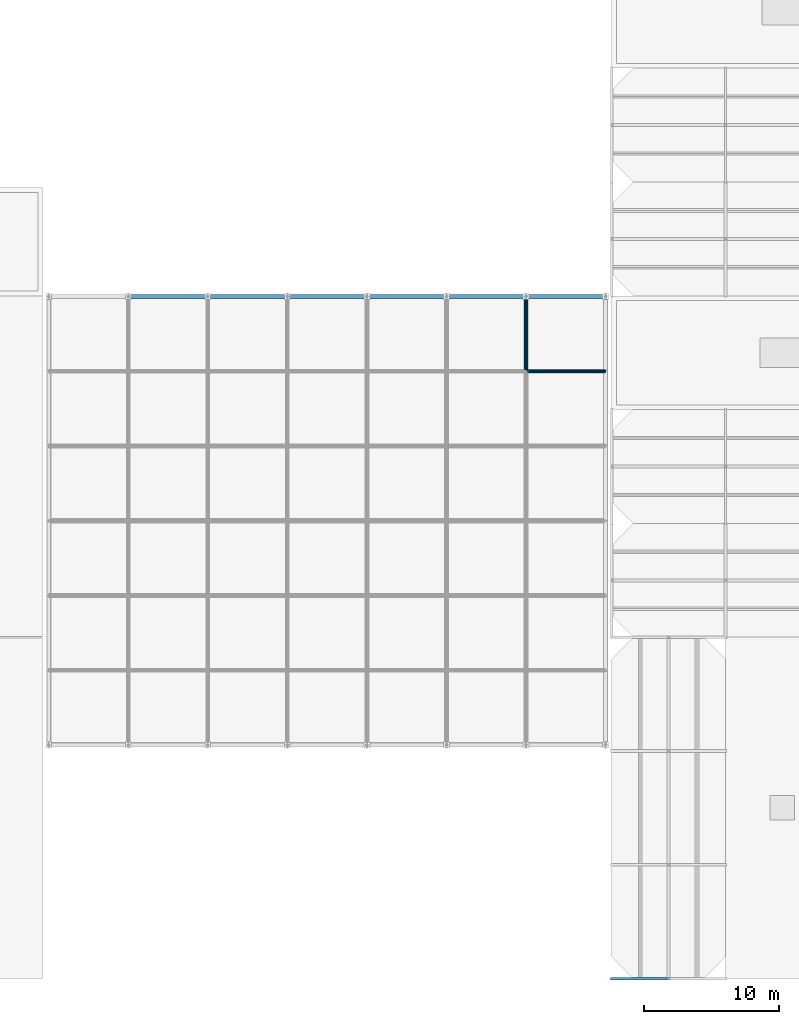
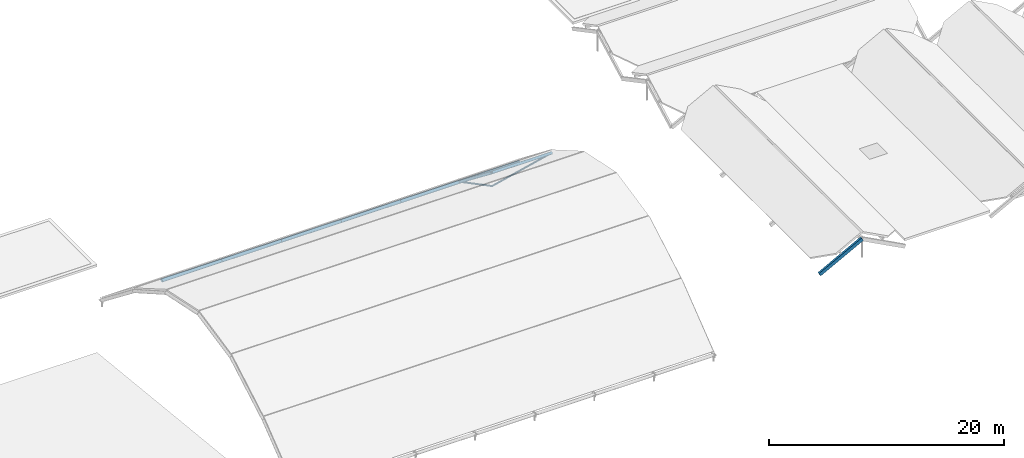
# One storey, part 14 of 82: 11 members.
"""IFC4 building model written with IfcOpenShell, lengths in metres."""

from ifc_helpers import new_model, si_unit, direction, frame, origin, origin_2d, place, context, subcontext, project, spatial, rectangle, hollow_circle, extrude, material, material_profile, profile_set, type_object, element, save


model = new_model("IFC4")

# Units and contexts
model_context = context("Model", 3, precision=1e-05, world=origin(), true_north=direction((0.0, 1.0)))
body_context = subcontext(model_context, "Body", "Model", "MODEL_VIEW")
ifc_project = project(units=[si_unit("LENGTHUNIT", "METRE"), si_unit("AREAUNIT", "SQUARE_METRE"), si_unit("VOLUMEUNIT", "CUBIC_METRE"), si_unit("PLANEANGLEUNIT", "RADIAN"), si_unit("MASSUNIT", "GRAM", prefix="KILO")], contexts=[model_context])

# Site, building, storey
site_placement = place(None, origin())
site = spatial("IfcSite", under=ifc_project, at=site_placement, CompositionType="ELEMENT")
building_placement = place(site_placement, origin())
building = spatial("IfcBuilding", under=site, at=building_placement, Name="Bramfleet General Hospital", CompositionType="ELEMENT")
storey_placement = place(building_placement, frame((0.0, 0.0, 34.199951171875)))
storey = spatial("IfcBuildingStorey", under=building, at=storey_placement, Name="Roof", CompositionType="ELEMENT", Elevation=34.199951171875)

# Members
ifc_material_1 = material(Name="Structural timber GL28h", Category="wood")
ifc_material_profile_1 = material_profile(ifc_material_1, rectangle(XDim=0.199951171875, YDim=0.360107421875, at=origin_2d()), Name="GL28h 360x200")
ifc_profile_set_1 = profile_set([ifc_material_profile_1], Name="Structural timber GL28h")
member_type_1 = type_object("IfcMemberType", Name="MEM-RF-GL360", PredefinedType="RAFTER", material=ifc_profile_set_1)
member_1_placement = place(storey_placement, frame((92.39990234375, 0.0, -0.75634765625), z_axis=(0.882958848035, 0.0, 0.469450394267), x_axis=(0.0, 1.0, 0.0)))
element("IfcMember", 1, at=member_1_placement, inside=storey, type_object=member_type_1, Name="Patient House PH-05 West Glulam Rafter 0", PredefinedType="RAFTER", context=body_context, shape_type="SweptSolid", body=[
    extrude(rectangle(XDim=0.199951171875, YDim=0.360107421875, at=origin_2d()), origin(), (0.0, 0.0, 1.0), 4.7568359375),
])
ifc_material_2 = material(Name="Steel S355", Category="steel")
ifc_material_profile_2 = material_profile(ifc_material_2, hollow_circle(Radius=0.084228515625, WallThickness=0.008056640625, at=origin_2d()), Name="CHS 168.3x8.0")
ifc_profile_set_2 = profile_set([ifc_material_profile_2], Name="Steel S355")
member_type_2 = type_object("IfcMemberType", Name="MEM-SF-DG1", PredefinedType="STRUT", material=ifc_profile_set_2)
member_2_placement = place(storey_placement, frame((86.07861328125, 44.833251953125, -16.550048828125), z_axis=(0.97272369554, 0.0, 0.231966834127), x_axis=(0.0, 1.0, 0.0)))
element("IfcMember", 2, at=member_2_placement, inside=storey, type_object=member_type_2, Name="Space Frame Web Strut 6-5-E", PredefinedType="STRUT", context=body_context, shape_type="SweptSolid", body=[
    extrude(hollow_circle(Radius=0.084228515625, WallThickness=0.008056640625, at=origin_2d()), origin(), (0.0, 0.0, 1.0), 6.035888671875),
])
member_3_placement = place(storey_placement, frame((86.07861328125, 44.833251953125, -16.550048828125), z_axis=(0.0, 0.885162817116, -0.465281406457), x_axis=(-1.0, 0.0, 0.0)))
element("IfcMember", 3, at=member_3_placement, inside=storey, type_object=member_type_2, Name="Space Frame Web Strut 6-5-N", PredefinedType="STRUT", context=body_context, shape_type="SweptSolid", body=[
    extrude(hollow_circle(Radius=0.084228515625, WallThickness=0.008056640625, at=origin_2d()), origin(), (0.0, 0.0, 1.0), 6.232666015625),
])
ifc_material_profile_3 = material_profile(ifc_material_2, hollow_circle(Radius=0.161865234375, WallThickness=0.012451171875, at=origin_2d()), Name="CHS 323.9x12.5")
ifc_profile_set_3 = profile_set([ifc_material_profile_3], Name="Steel S355")
member_type_3 = type_object("IfcMemberType", Name="MEM-SF-TC1", PredefinedType="CHORD", material=ifc_profile_set_3)
member_4_placement = place(storey_placement, frame((56.721435546875, 50.35009765625, -19.449951171875), z_axis=(1.0, 0.0, 0.0), x_axis=(0.0, 1.0, 0.0)))
element("IfcMember", 4, at=member_4_placement, inside=storey, type_object=member_type_3, Name="Space Frame Top Chord X 1-6", PredefinedType="CHORD", context=body_context, shape_type="SweptSolid", body=[
    extrude(hollow_circle(Radius=0.161865234375, WallThickness=0.012451171875, at=origin_2d()), origin(), (0.0, 0.0, 1.0), 5.871337890625),
])
member_5_placement = place(storey_placement, frame((62.5927734375, 50.35009765625, -19.449951171875), z_axis=(1.0, 0.0, 0.0), x_axis=(0.0, 1.0, 0.0)))
element("IfcMember", 5, at=member_5_placement, inside=storey, type_object=member_type_3, Name="Space Frame Top Chord X 2-6", PredefinedType="CHORD", context=body_context, shape_type="SweptSolid", body=[
    extrude(hollow_circle(Radius=0.161865234375, WallThickness=0.012451171875, at=origin_2d()), origin(), (0.0, 0.0, 1.0), 5.87158203125),
])
for number, where, z_axis, x_axis, name in (
    (6, (68.46435546875, 50.35009765625, -19.449951171875), (1.0, 0.0, 0.0), (0.0, 1.0, 0.0), "Space Frame Top Chord X 3-6"),
    (7, (74.335693359375, 50.35009765625, -19.449951171875), (1.0, 0.0, 0.0), (0.0, 1.0, 0.0), "Space Frame Top Chord X 4-6"),
):
    element("IfcMember", number, at=place(storey_placement, frame(where, z_axis=z_axis, x_axis=x_axis)), inside=storey, type_object=member_type_3, Name=name, PredefinedType="CHORD", context=body_context, shape_type="SweptSolid", body=[
        extrude(hollow_circle(Radius=0.161865234375, WallThickness=0.012451171875, at=origin_2d()), origin(), (0.0, 0.0, 1.0), 5.871337890625),
    ])
member_6_placement = place(storey_placement, frame((80.20703125, 50.35009765625, -19.449951171875), z_axis=(1.0, 0.0, 0.0), x_axis=(0.0, 1.0, 0.0)))
element("IfcMember", 8, at=member_6_placement, inside=storey, type_object=member_type_3, Name="Space Frame Top Chord X 5-6", PredefinedType="CHORD", context=body_context, shape_type="SweptSolid", body=[
    extrude(hollow_circle(Radius=0.161865234375, WallThickness=0.012451171875, at=origin_2d()), origin(), (0.0, 0.0, 1.0), 5.87158203125),
])
member_7_placement = place(storey_placement, frame((86.07861328125, 50.35009765625, -19.449951171875), z_axis=(1.0, 0.0, 0.0), x_axis=(0.0, 1.0, 0.0)))
element("IfcMember", 9, at=member_7_placement, inside=storey, type_object=member_type_3, Name="Space Frame Top Chord X 6-6", PredefinedType="CHORD", context=body_context, shape_type="SweptSolid", body=[
    extrude(hollow_circle(Radius=0.161865234375, WallThickness=0.012451171875, at=origin_2d()), origin(), (0.0, 0.0, 1.0), 5.871337890625),
])
ifc_material_profile_4 = material_profile(ifc_material_2, hollow_circle(Radius=0.136474609375, WallThickness=0.012451171875, at=origin_2d()), Name="CHS 273.0x12.5")
ifc_profile_set_4 = profile_set([ifc_material_profile_4], Name="Steel S355")
member_type_4 = type_object("IfcMemberType", Name="MEM-SF-TC2", PredefinedType="CHORD", material=ifc_profile_set_4)
member_8_placement = place(storey_placement, frame((86.07861328125, 44.833251953125, -15.14990234375), z_axis=(1.0, 0.0, 0.0), x_axis=(0.0, 1.0, 0.0)))
element("IfcMember", 10, at=member_8_placement, inside=storey, type_object=member_type_4, Name="Space Frame Top Chord X 6-5", PredefinedType="CHORD", context=body_context, shape_type="SweptSolid", body=[
    extrude(hollow_circle(Radius=0.136474609375, WallThickness=0.012451171875, at=origin_2d()), origin(), (0.0, 0.0, 1.0), 5.871337890625),
])
member_9_placement = place(storey_placement, frame((86.07861328125, 44.833251953125, -15.14990234375), z_axis=(0.0, 0.788716549393, -0.614757029007), x_axis=(-1.0, 0.0, 0.0)))
element("IfcMember", 11, at=member_9_placement, inside=storey, type_object=member_type_4, Name="Space Frame Top Chord Y 6-5", PredefinedType="CHORD", context=body_context, shape_type="SweptSolid", body=[
    extrude(hollow_circle(Radius=0.136474609375, WallThickness=0.012451171875, at=origin_2d()), origin(), (0.0, 0.0, 1.0), 6.99462890625),
])

save(model, "model.ifc")
